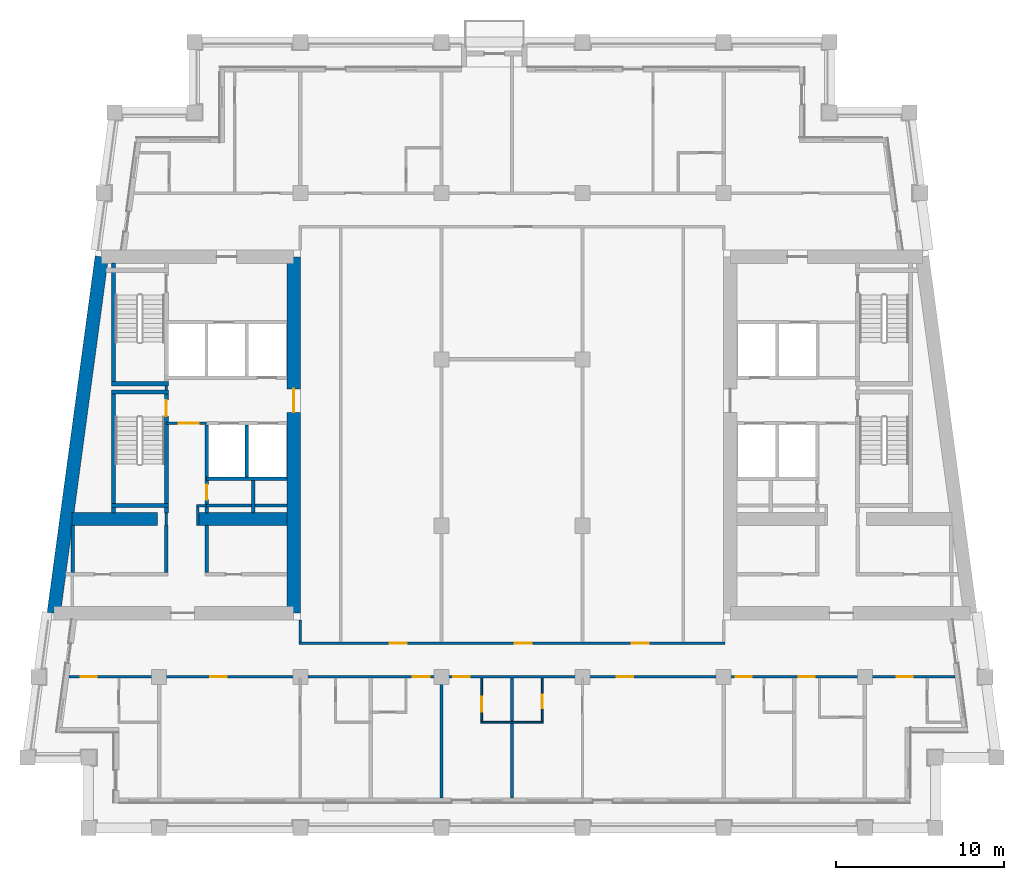
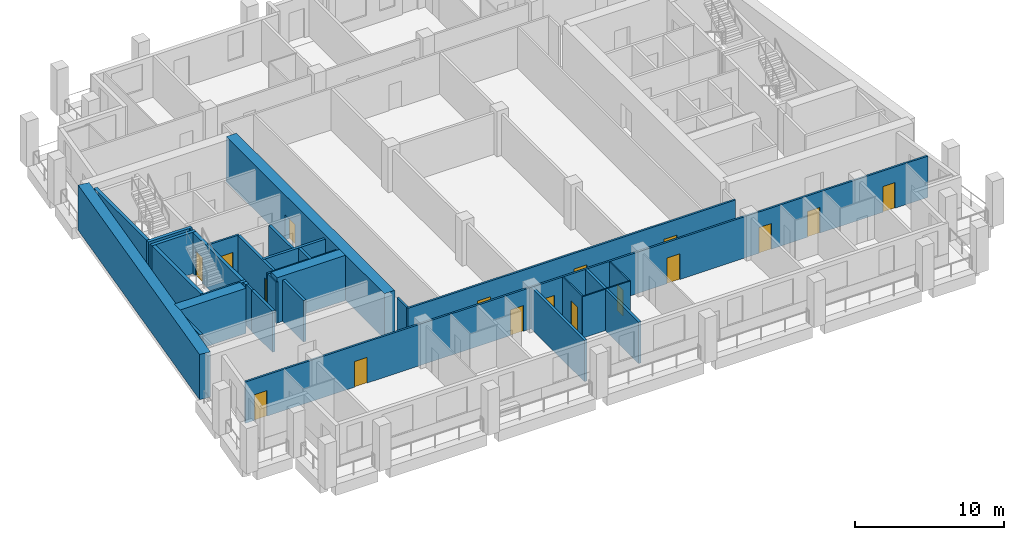
# One storey, part 3 of 12: 31 walls, 17 doors, 17 openings.
"""IFC4 building model written with IfcOpenShell, lengths in metres."""

from ifc_helpers import new_model, si_unit, direction, frame, frame_2d, origin, place, context, subcontext, project, spatial, rectangle, extrude, material, layer, layer_set, type_object, element, fill, save


model = new_model("IFC4")

# Units and contexts
model_context = context("Model", 3, precision=1e-05, world=origin(), true_north=direction((0.0, 1.0)))
body_context = subcontext(model_context, "Body", "Model", "MODEL_VIEW")
ifc_project = project(units=[si_unit("LENGTHUNIT", "METRE"), si_unit("AREAUNIT", "SQUARE_METRE"), si_unit("VOLUMEUNIT", "CUBIC_METRE"), si_unit("PLANEANGLEUNIT", "RADIAN"), si_unit("MASSUNIT", "GRAM", prefix="KILO")], contexts=[model_context])

# Site, building, storey
site_placement = place(None, origin())
site = spatial("IfcSite", under=ifc_project, at=site_placement, CompositionType="ELEMENT")
building_placement = place(site_placement, origin())
building = spatial("IfcBuilding", under=site, at=building_placement, Name="Candeia Pilgrim Tower and Theatre", CompositionType="ELEMENT")
storey_placement = place(building_placement, frame((0.0, 0.0, 231.800048828125)))
storey = spatial("IfcBuildingStorey", under=building, at=storey_placement, Name="L56", CompositionType="ELEMENT", Elevation=231.800048828125)

# Wall, opening, door
ifc_material_1 = material(Name="Concrete C50/60", Category="concrete")
ifc_layer_1 = layer(ifc_material_1, 0.800048828125)
ifc_layer_set_1 = layer_set([ifc_layer_1], Name="Core wall 800 C50/60")
wall_type_1 = type_object("IfcWallType", Name="Core wall 800 C50/60", PredefinedType="SHEAR", material=ifc_layer_set_1)
wall_1_placement = place(storey_placement, frame((100.39990234375, 132.0, 0.0), z_axis=(0.0, 0.0, 1.0), x_axis=(0.0, -1.0, 0.0)))
wall_1 = element("IfcWall", 1, at=wall_1_placement, inside=storey, type_object=wall_type_1, Name="Core wall W2", PredefinedType="SHEAR", context=body_context, shape_type="SweptSolid", body=[
    extrude(rectangle(XDim=21.199951171875, YDim=0.800048828125, at=frame_2d((10.60009765625, 0.0))), origin(), (0.0, 0.0, 1.0), 3.699951171875),
])
opening_1_placement = place(wall_1_placement, frame((7.85009765625, 0.0, 0.0)))
opening_1 = element("IfcOpeningElement", 2, at=opening_1_placement, cuts=wall_1, Name="Opening L56-D047", PredefinedType="OPENING", context=body_context, shape_type="SweptSolid", body=[
    extrude(rectangle(XDim=1.39990234375, YDim=2.10009765625, at=frame_2d((0.699951171875, 1.050048828125))), frame((0.0, 0.41015625, 0.0), z_axis=(0.0, -1.0, 0.0), x_axis=(1.0, 0.0, 0.0)), (0.0, 0.0, 1.0), 0.820068359375),
])
ifc_material_2 = material(Name="Steel fire door set", Category="steel")
door_type_1 = type_object("IfcDoorType", Name="D-1400-FD60", OperationType="NOTDEFINED", PredefinedType="DOOR", material=ifc_material_2)
door_1_placement = place(opening_1_placement, origin())
door_1 = element("IfcDoor", 3, at=door_1_placement, inside=storey, type_object=door_type_1, Name="Door L56-D047", OperationType="SINGLE_SWING_LEFT", OverallHeight=2.10009765625, OverallWidth=1.39990234375, PredefinedType="DOOR", context=body_context, shape_type="SweptSolid", body=[
    extrude(rectangle(XDim=1.39990234375, YDim=2.10009765625, at=frame_2d((0.699951171875, 1.050048828125))), frame((0.0, 0.02490234375, 0.0), z_axis=(0.0, -1.0, 0.0), x_axis=(1.0, 0.0, 0.0)), (0.0, 0.0, 1.0), 0.050048828125),
])
fill(opening_1, door_1)

# Walls
wall_2_placement = place(storey_placement, frame((86.126708984375, 110.800048828125, 0.0), z_axis=(0.0, 0.0, 1.0), x_axis=(0.133408347329, 0.991061154956, 0.0)))
element("IfcWall", 4, at=wall_2_placement, inside=storey, type_object=wall_type_1, Name="Core wall W4", PredefinedType="SHEAR", context=body_context, shape_type="SweptSolid", body=[
    extrude(rectangle(XDim=21.39111328125, YDim=0.800048828125, at=frame_2d((10.695556640625, 0.0))), origin(), (0.0, 0.0, 1.0), 3.699951171875),
])
wall_3_placement = place(storey_placement, frame((87.22314453125, 116.39990234375, 0.0), z_axis=(0.0, 0.0, 1.0), x_axis=(1.0, 0.0, 0.0)))
element("IfcWall", 5, at=wall_3_placement, inside=storey, type_object=wall_type_1, Name="Core wall W5", PredefinedType="SHEAR", context=body_context, shape_type="SweptSolid", body=[
    extrude(rectangle(XDim=5.076904296875, YDim=0.800048828125, at=frame_2d((2.53857421875, 0.0))), origin(), (0.0, 0.0, 1.0), 3.699951171875),
])
wall_4_placement = place(storey_placement, frame((94.699951171875, 116.39990234375, 0.0), z_axis=(0.0, 0.0, 1.0), x_axis=(1.0, 0.0, 0.0)))
element("IfcWall", 6, at=wall_4_placement, inside=storey, type_object=wall_type_1, Name="Core wall W6", PredefinedType="SHEAR", context=body_context, shape_type="SweptSolid", body=[
    extrude(rectangle(XDim=5.300048828125, YDim=0.800048828125, at=frame_2d((2.64990234375, 0.0))), origin(), (0.0, 0.0, 1.0), 3.699951171875),
])
ifc_material_3 = material(Name="Gypsum board partition on steel studs", Category="steel")
ifc_layer_2 = layer(ifc_material_3, 0.10009765625)
ifc_layer_set_2 = layer_set([ifc_layer_2], Name="PW-100 room partition")
wall_type_2 = type_object("IfcWallType", Name="PW-100 room partition", PredefinedType="PARTITIONING", material=ifc_layer_set_2)
wall_5_placement = place(storey_placement, frame((111.550048828125, 104.300048828125, 0.0), z_axis=(0.0, 0.0, 1.0), x_axis=(1.0, 0.0, 0.0)))
element("IfcWall", 7, at=wall_5_placement, inside=storey, type_object=wall_type_2, Name="Room partition L56-003", PredefinedType="PARTITIONING", context=body_context, shape_type="SweptSolid", body=[
    extrude(rectangle(XDim=3.699951171875, YDim=0.10009765625, at=frame_2d((1.85009765625, 0.0))), origin(), (0.0, 0.0, 1.0), 3.3798828125),
])

# Wall, opening, door
wall_6_placement = place(storey_placement, frame((111.60009765625, 104.35009765625, 0.0), z_axis=(0.0, 0.0, 1.0), x_axis=(0.0, 1.0, 0.0)))
wall_6 = element("IfcWall", 8, at=wall_6_placement, inside=storey, type_object=wall_type_2, Name="Room partition L56-076", PredefinedType="PARTITIONING", context=body_context, shape_type="SweptSolid", body=[
    extrude(rectangle(XDim=2.574951171875, YDim=0.10009765625, at=frame_2d((1.28759765625, 0.0))), origin(), (0.0, 0.0, 1.0), 3.3798828125),
])
opening_2_placement = place(wall_6_placement, frame((0.574951171875, 0.0, 0.0)))
opening_2 = element("IfcOpeningElement", 9, at=opening_2_placement, cuts=wall_6, Name="Opening L56-D021", PredefinedType="OPENING", context=body_context, shape_type="SweptSolid", body=[
    extrude(rectangle(XDim=0.89990234375, YDim=2.10009765625, at=frame_2d((0.449951171875, 1.050048828125))), frame((0.0, 0.06005859375, 0.0), z_axis=(0.0, -1.0, 0.0), x_axis=(1.0, 0.0, 0.0)), (0.0, 0.0, 1.0), 0.1201171875),
])
ifc_material_4 = material(Name="Timber door leaf", Category="wood")
door_type_2 = type_object("IfcDoorType", Name="D-900", OperationType="NOTDEFINED", PredefinedType="DOOR", material=ifc_material_4)
door_2_placement = place(opening_2_placement, origin())
door_2 = element("IfcDoor", 10, at=door_2_placement, inside=storey, type_object=door_type_2, Name="Door L56-D021", OperationType="SINGLE_SWING_LEFT", OverallHeight=2.10009765625, OverallWidth=0.89990234375, PredefinedType="DOOR", context=body_context, shape_type="SweptSolid", body=[
    extrude(rectangle(XDim=0.89990234375, YDim=2.10009765625, at=frame_2d((0.449951171875, 1.050048828125))), frame((0.0, 0.02490234375, 0.0), z_axis=(0.0, -1.0, 0.0), x_axis=(1.0, 0.0, 0.0)), (0.0, 0.0, 1.0), 0.050048828125),
])
fill(opening_2, door_2)

wall_7_placement = place(storey_placement, frame((115.199951171875, 104.35009765625, 0.0), z_axis=(0.0, 0.0, 1.0), x_axis=(0.0, 1.0, 0.0)))
wall_7 = element("IfcWall", 11, at=wall_7_placement, inside=storey, type_object=wall_type_2, Name="Room partition L56-079", PredefinedType="PARTITIONING", context=body_context, shape_type="SweptSolid", body=[
    extrude(rectangle(XDim=2.574951171875, YDim=0.10009765625, at=frame_2d((1.28759765625, 0.0))), origin(), (0.0, 0.0, 1.0), 3.3798828125),
])
opening_3_placement = place(wall_7_placement, frame((0.780029296875, 0.0, 0.0)))
opening_3 = element("IfcOpeningElement", 12, at=opening_3_placement, cuts=wall_7, Name="Opening L56-D024", PredefinedType="OPENING", context=body_context, shape_type="SweptSolid", body=[
    extrude(rectangle(XDim=0.800048828125, YDim=2.10009765625, at=frame_2d((0.39990234375, 1.050048828125))), frame((0.0, 0.06005859375, 0.0), z_axis=(0.0, -1.0, 0.0), x_axis=(1.0, 0.0, 0.0)), (0.0, 0.0, 1.0), 0.1201171875),
])
door_type_3 = type_object("IfcDoorType", Name="D-800", OperationType="NOTDEFINED", PredefinedType="DOOR", material=ifc_material_4)
door_3_placement = place(opening_3_placement, origin())
door_3 = element("IfcDoor", 13, at=door_3_placement, inside=storey, type_object=door_type_3, Name="Door L56-D024", OperationType="SINGLE_SWING_RIGHT", OverallHeight=2.10009765625, OverallWidth=0.800048828125, PredefinedType="DOOR", context=body_context, shape_type="SweptSolid", body=[
    extrude(rectangle(XDim=0.800048828125, YDim=2.10009765625, at=frame_2d((0.39990234375, 1.050048828125))), frame((0.0, 0.02490234375, 0.0), z_axis=(0.0, -1.0, 0.0), x_axis=(1.0, 0.0, 0.0)), (0.0, 0.0, 1.0), 0.050048828125),
])
fill(opening_3, door_3)

# Wall
ifc_layer_3 = layer(ifc_material_3, 0.14990234375)
ifc_layer_set_3 = layer_set([ifc_layer_3], Name="PW-150 lobby wall")
wall_type_3 = type_object("IfcWallType", Name="PW-150 lobby wall", PredefinedType="PARTITIONING", material=ifc_layer_set_3)
wall_8_placement = place(storey_placement, frame((94.625, 117.199951171875, 0.0), z_axis=(0.0, 0.0, 1.0), x_axis=(1.0, 0.0, 0.0)))
element("IfcWall", 14, at=wall_8_placement, inside=storey, type_object=wall_type_3, Name="Lobby wall L56-016", PredefinedType="PARTITIONING", context=body_context, shape_type="SweptSolid", body=[
    extrude(rectangle(XDim=0.60205078125, YDim=0.14990234375, at=frame_2d((0.301025390625, 0.0))), origin(), (0.0, 0.0, 1.0), 3.3798828125),
])

# Wall, opening, door
wall_9_placement = place(storey_placement, frame((92.826904296875, 122.10009765625, 0.0), z_axis=(0.0, 0.0, 1.0), x_axis=(1.0, 0.0, 0.0)))
wall_9 = element("IfcWall", 15, at=wall_9_placement, inside=storey, type_object=wall_type_3, Name="Lobby wall L56-024", PredefinedType="PARTITIONING", context=body_context, shape_type="SweptSolid", body=[
    extrude(rectangle(XDim=2.400146484375, YDim=0.14990234375, at=frame_2d((1.2001953125, 0.0))), origin(), (0.0, 0.0, 1.0), 3.3798828125),
])
opening_4_placement = place(wall_9_placement, frame((0.72509765625, 0.0, 0.0)))
opening_4 = element("IfcOpeningElement", 16, at=opening_4_placement, cuts=wall_9, Name="Opening L56-D001", PredefinedType="OPENING", context=body_context, shape_type="SweptSolid", body=[
    extrude(rectangle(XDim=1.199951171875, YDim=2.10009765625, at=frame_2d((0.60009765625, 1.050048828125))), frame((0.0, 0.0849609375, 0.0), z_axis=(0.0, -1.0, 0.0), x_axis=(1.0, 0.0, 0.0)), (0.0, 0.0, 1.0), 0.169921875),
])
door_type_4 = type_object("IfcDoorType", Name="D-1200-FD60", OperationType="NOTDEFINED", PredefinedType="DOOR", material=ifc_material_2)
door_4_placement = place(opening_4_placement, origin())
door_4 = element("IfcDoor", 17, at=door_4_placement, inside=storey, type_object=door_type_4, Name="Door L56-D001", OperationType="SINGLE_SWING_LEFT", OverallHeight=2.10009765625, OverallWidth=1.199951171875, PredefinedType="DOOR", context=body_context, shape_type="SweptSolid", body=[
    extrude(rectangle(XDim=1.199951171875, YDim=2.10009765625, at=frame_2d((0.60009765625, 1.050048828125))), frame((0.0, 0.02490234375, 0.0), z_axis=(0.0, -1.0, 0.0), x_axis=(1.0, 0.0, 0.0)), (0.0, 0.0, 1.0), 0.050048828125),
])
fill(opening_4, door_4)

# Walls
wall_10_placement = place(storey_placement, frame((92.826904296875, 116.0, 0.0), z_axis=(0.0, 0.0, 1.0), x_axis=(0.0, 1.0, 0.0)))
element("IfcWall", 18, at=wall_10_placement, inside=storey, type_object=wall_type_3, Name="Lobby wall L56-051", PredefinedType="PARTITIONING", context=body_context, shape_type="SweptSolid", body=[
    extrude(rectangle(XDim=0.77001953125, YDim=0.14990234375, at=frame_2d((0.385009765625, 0.0))), origin(), (0.0, 0.0, 1.0), 3.3798828125),
])
wall_11_placement = place(storey_placement, frame((92.826904296875, 124.074951171875, 0.0), z_axis=(0.0, 0.0, 1.0), x_axis=(0.0, 1.0, 0.0)))
element("IfcWall", 19, at=wall_11_placement, inside=storey, type_object=wall_type_3, Name="Lobby wall L56-052", PredefinedType="PARTITIONING", context=body_context, shape_type="SweptSolid", body=[
    extrude(rectangle(XDim=0.25, YDim=0.14990234375, at=frame_2d((0.125, 0.0))), origin(), (0.0, 0.0, 1.0), 3.3798828125),
])
wall_12_placement = place(storey_placement, frame((94.699951171875, 116.0, 0.0), z_axis=(0.0, 0.0, 1.0), x_axis=(0.0, 1.0, 0.0)))
element("IfcWall", 20, at=wall_12_placement, inside=storey, type_object=wall_type_3, Name="Lobby wall L56-056", PredefinedType="PARTITIONING", context=body_context, shape_type="SweptSolid", body=[
    extrude(rectangle(XDim=1.125, YDim=0.14990234375, at=frame_2d((0.5625, 0.0))), origin(), (0.0, 0.0, 1.0), 3.3798828125),
])

# Wall, openings, doors
ifc_layer_4 = layer(ifc_material_3, 0.14990234375)
ifc_layer_set_4 = layer_set([ifc_layer_4], Name="PW-150 unit wall")
wall_type_4 = type_object("IfcWallType", Name="PW-150 unit wall", PredefinedType="PARTITIONING", material=ifc_layer_set_4)
wall_13_placement = place(storey_placement, frame((87.017578125, 107.0, 0.0), z_axis=(0.0, 0.0, 1.0), x_axis=(1.0, 0.0, 0.0)))
wall_13 = element("IfcWall", 21, at=wall_13_placement, inside=storey, type_object=wall_type_4, Name="Unit wall L56-008", PredefinedType="PARTITIONING", context=body_context, shape_type="SweptSolid", body=[
    extrude(rectangle(XDim=52.7646484375, YDim=0.14990234375, at=frame_2d((26.38232421875, 0.0))), origin(), (0.0, 0.0, 1.0), 3.3798828125),
])
opening_5_placement = place(wall_13_placement, frame((0.707275390625, 0.0, 0.0)))
opening_5 = element("IfcOpeningElement", 22, at=opening_5_placement, cuts=wall_13, Name="Opening L56-D013", PredefinedType="OPENING", context=body_context, shape_type="SweptSolid", body=[
    extrude(rectangle(XDim=0.949951171875, YDim=2.10009765625, at=frame_2d((0.47509765625, 1.050048828125))), frame((0.0, 0.0849609375, 0.0), z_axis=(0.0, -1.0, 0.0), x_axis=(1.0, 0.0, 0.0)), (0.0, 0.0, 1.0), 0.169921875),
])
opening_6_placement = place(wall_13_placement, frame((8.412353515625, 0.0, 0.0)))
opening_6 = element("IfcOpeningElement", 23, at=opening_6_placement, cuts=wall_13, Name="Opening L56-D015", PredefinedType="OPENING", context=body_context, shape_type="SweptSolid", body=[
    extrude(rectangle(XDim=1.0, YDim=2.10009765625, at=frame_2d((0.5, 1.050048828125))), frame((0.0, 0.0849609375, 0.0), z_axis=(0.0, -1.0, 0.0), x_axis=(1.0, 0.0, 0.0)), (0.0, 0.0, 1.0), 0.169921875),
])
opening_7_placement = place(wall_13_placement, frame((20.482421875, 0.0, 0.0)))
opening_7 = element("IfcOpeningElement", 24, at=opening_7_placement, cuts=wall_13, Name="Opening L56-D018", PredefinedType="OPENING", context=body_context, shape_type="SweptSolid", body=[
    extrude(rectangle(XDim=1.0, YDim=2.10009765625, at=frame_2d((0.5, 1.050048828125))), frame((0.0, 0.0849609375, 0.0), z_axis=(0.0, -1.0, 0.0), x_axis=(1.0, 0.0, 0.0)), (0.0, 0.0, 1.0), 0.169921875),
])
opening_8_placement = place(wall_13_placement, frame((22.88232421875, 0.0, 0.0)))
opening_8 = element("IfcOpeningElement", 25, at=opening_8_placement, cuts=wall_13, Name="Opening L56-D020", PredefinedType="OPENING", context=body_context, shape_type="SweptSolid", body=[
    extrude(rectangle(XDim=1.0, YDim=2.10009765625, at=frame_2d((0.5, 1.050048828125))), frame((0.0, 0.0849609375, 0.0), z_axis=(0.0, -1.0, 0.0), x_axis=(1.0, 0.0, 0.0)), (0.0, 0.0, 1.0), 0.169921875),
])
opening_9_placement = place(wall_13_placement, frame((32.607421875, 0.0, 0.0)))
opening_9 = element("IfcOpeningElement", 26, at=opening_9_placement, cuts=wall_13, Name="Opening L56-D022", PredefinedType="OPENING", context=body_context, shape_type="SweptSolid", body=[
    extrude(rectangle(XDim=1.0, YDim=2.10009765625, at=frame_2d((0.5, 1.050048828125))), frame((0.0, 0.0849609375, 0.0), z_axis=(0.0, -1.0, 0.0), x_axis=(1.0, 0.0, 0.0)), (0.0, 0.0, 1.0), 0.169921875),
])
opening_10_placement = place(wall_13_placement, frame((39.707275390625, 0.0, 0.0)))
opening_10 = element("IfcOpeningElement", 27, at=opening_10_placement, cuts=wall_13, Name="Opening L56-D025", PredefinedType="OPENING", context=body_context, shape_type="SweptSolid", body=[
    extrude(rectangle(XDim=0.949951171875, YDim=2.10009765625, at=frame_2d((0.47509765625, 1.050048828125))), frame((0.0, 0.0849609375, 0.0), z_axis=(0.0, -1.0, 0.0), x_axis=(1.0, 0.0, 0.0)), (0.0, 0.0, 1.0), 0.169921875),
])
opening_11_placement = place(wall_13_placement, frame((43.457275390625, 0.0, 0.0)))
opening_11 = element("IfcOpeningElement", 28, at=opening_11_placement, cuts=wall_13, Name="Opening L56-D027", PredefinedType="OPENING", context=body_context, shape_type="SweptSolid", body=[
    extrude(rectangle(XDim=0.949951171875, YDim=2.10009765625, at=frame_2d((0.47509765625, 1.050048828125))), frame((0.0, 0.0849609375, 0.0), z_axis=(0.0, -1.0, 0.0), x_axis=(1.0, 0.0, 0.0)), (0.0, 0.0, 1.0), 0.169921875),
])
opening_12_placement = place(wall_13_placement, frame((49.285400390625, 0.0, 0.0)))
opening_12 = element("IfcOpeningElement", 29, at=opening_12_placement, cuts=wall_13, Name="Opening L56-D029", PredefinedType="OPENING", context=body_context, shape_type="SweptSolid", body=[
    extrude(rectangle(XDim=0.949951171875, YDim=2.10009765625, at=frame_2d((0.47509765625, 1.050048828125))), frame((0.0, 0.0849609375, 0.0), z_axis=(0.0, -1.0, 0.0), x_axis=(1.0, 0.0, 0.0)), (0.0, 0.0, 1.0), 0.169921875),
])
door_type_5 = type_object("IfcDoorType", Name="D-1000-FD30S", OperationType="NOTDEFINED", PredefinedType="DOOR", material=ifc_material_2)
door_5_placement = place(opening_6_placement, origin())
door_5 = element("IfcDoor", 30, at=door_5_placement, inside=storey, type_object=door_type_5, Name="Door L56-D015", OperationType="SINGLE_SWING_LEFT", OverallHeight=2.10009765625, OverallWidth=1.0, PredefinedType="DOOR", context=body_context, shape_type="SweptSolid", body=[
    extrude(rectangle(XDim=1.0, YDim=2.10009765625, at=frame_2d((0.5, 1.050048828125))), frame((0.0, 0.02490234375, 0.0), z_axis=(0.0, -1.0, 0.0), x_axis=(1.0, 0.0, 0.0)), (0.0, 0.0, 1.0), 0.050048828125),
])
fill(opening_6, door_5)
door_6_placement = place(opening_7_placement, origin())
door_6 = element("IfcDoor", 31, at=door_6_placement, inside=storey, type_object=door_type_5, Name="Door L56-D018", OperationType="SINGLE_SWING_RIGHT", OverallHeight=2.10009765625, OverallWidth=1.0, PredefinedType="DOOR", context=body_context, shape_type="SweptSolid", body=[
    extrude(rectangle(XDim=1.0, YDim=2.10009765625, at=frame_2d((0.5, 1.050048828125))), frame((0.0, 0.02490234375, 0.0), z_axis=(0.0, -1.0, 0.0), x_axis=(1.0, 0.0, 0.0)), (0.0, 0.0, 1.0), 0.050048828125),
])
fill(opening_7, door_6)
door_7_placement = place(opening_8_placement, origin())
door_7 = element("IfcDoor", 32, at=door_7_placement, inside=storey, type_object=door_type_5, Name="Door L56-D020", OperationType="SINGLE_SWING_RIGHT", OverallHeight=2.10009765625, OverallWidth=1.0, PredefinedType="DOOR", context=body_context, shape_type="SweptSolid", body=[
    extrude(rectangle(XDim=1.0, YDim=2.10009765625, at=frame_2d((0.5, 1.050048828125))), frame((0.0, 0.02490234375, 0.0), z_axis=(0.0, -1.0, 0.0), x_axis=(1.0, 0.0, 0.0)), (0.0, 0.0, 1.0), 0.050048828125),
])
fill(opening_8, door_7)
door_8_placement = place(opening_9_placement, origin())
door_8 = element("IfcDoor", 33, at=door_8_placement, inside=storey, type_object=door_type_5, Name="Door L56-D022", OperationType="SINGLE_SWING_RIGHT", OverallHeight=2.10009765625, OverallWidth=1.0, PredefinedType="DOOR", context=body_context, shape_type="SweptSolid", body=[
    extrude(rectangle(XDim=1.0, YDim=2.10009765625, at=frame_2d((0.5, 1.050048828125))), frame((0.0, 0.02490234375, 0.0), z_axis=(0.0, -1.0, 0.0), x_axis=(1.0, 0.0, 0.0)), (0.0, 0.0, 1.0), 0.050048828125),
])
fill(opening_9, door_8)
door_type_6 = type_object("IfcDoorType", Name="D-950-FD30S", OperationType="NOTDEFINED", PredefinedType="DOOR", material=ifc_material_2)
door_9_placement = place(opening_5_placement, origin())
door_9 = element("IfcDoor", 34, at=door_9_placement, inside=storey, type_object=door_type_6, Name="Door L56-D013", OperationType="SINGLE_SWING_LEFT", OverallHeight=2.10009765625, OverallWidth=0.949951171875, PredefinedType="DOOR", context=body_context, shape_type="SweptSolid", body=[
    extrude(rectangle(XDim=0.949951171875, YDim=2.10009765625, at=frame_2d((0.47509765625, 1.050048828125))), frame((0.0, 0.02490234375, 0.0), z_axis=(0.0, -1.0, 0.0), x_axis=(1.0, 0.0, 0.0)), (0.0, 0.0, 1.0), 0.050048828125),
])
fill(opening_5, door_9)
door_10_placement = place(opening_10_placement, origin())
door_10 = element("IfcDoor", 35, at=door_10_placement, inside=storey, type_object=door_type_6, Name="Door L56-D025", OperationType="SINGLE_SWING_LEFT", OverallHeight=2.10009765625, OverallWidth=0.949951171875, PredefinedType="DOOR", context=body_context, shape_type="SweptSolid", body=[
    extrude(rectangle(XDim=0.949951171875, YDim=2.10009765625, at=frame_2d((0.47509765625, 1.050048828125))), frame((0.0, 0.02490234375, 0.0), z_axis=(0.0, -1.0, 0.0), x_axis=(1.0, 0.0, 0.0)), (0.0, 0.0, 1.0), 0.050048828125),
])
fill(opening_10, door_10)
door_11_placement = place(opening_11_placement, origin())
door_11 = element("IfcDoor", 36, at=door_11_placement, inside=storey, type_object=door_type_6, Name="Door L56-D027", OperationType="SINGLE_SWING_LEFT", OverallHeight=2.10009765625, OverallWidth=0.949951171875, PredefinedType="DOOR", context=body_context, shape_type="SweptSolid", body=[
    extrude(rectangle(XDim=0.949951171875, YDim=2.10009765625, at=frame_2d((0.47509765625, 1.050048828125))), frame((0.0, 0.02490234375, 0.0), z_axis=(0.0, -1.0, 0.0), x_axis=(1.0, 0.0, 0.0)), (0.0, 0.0, 1.0), 0.050048828125),
])
fill(opening_11, door_11)
door_12_placement = place(opening_12_placement, origin())
door_12 = element("IfcDoor", 37, at=door_12_placement, inside=storey, type_object=door_type_6, Name="Door L56-D029", OperationType="SINGLE_SWING_LEFT", OverallHeight=2.10009765625, OverallWidth=0.949951171875, PredefinedType="DOOR", context=body_context, shape_type="SweptSolid", body=[
    extrude(rectangle(XDim=0.949951171875, YDim=2.10009765625, at=frame_2d((0.47509765625, 1.050048828125))), frame((0.0, 0.02490234375, 0.0), z_axis=(0.0, -1.0, 0.0), x_axis=(1.0, 0.0, 0.0)), (0.0, 0.0, 1.0), 0.050048828125),
])
fill(opening_12, door_12)

wall_14_placement = place(storey_placement, frame((100.72509765625, 109.0, 0.0), z_axis=(0.0, 0.0, 1.0), x_axis=(1.0, 0.0, 0.0)))
wall_14 = element("IfcWall", 38, at=wall_14_placement, inside=storey, type_object=wall_type_4, Name="Unit wall L56-009", PredefinedType="PARTITIONING", context=body_context, shape_type="SweptSolid", body=[
    extrude(rectangle(XDim=25.349853515625, YDim=0.14990234375, at=frame_2d((12.6748046875, 0.0))), origin(), (0.0, 0.0, 1.0), 3.3798828125),
])
opening_13_placement = place(wall_14_placement, frame((5.405029296875, 0.0, 0.0)))
opening_13 = element("IfcOpeningElement", 39, at=opening_13_placement, cuts=wall_14, Name="Opening L56-D041", PredefinedType="OPENING", context=body_context, shape_type="SweptSolid", body=[
    extrude(rectangle(XDim=1.0, YDim=2.10009765625, at=frame_2d((0.5, 1.050048828125))), frame((0.0, 0.0849609375, 0.0), z_axis=(0.0, -1.0, 0.0), x_axis=(1.0, 0.0, 0.0)), (0.0, 0.0, 1.0), 0.169921875),
])
opening_14_placement = place(wall_14_placement, frame((12.844970703125, 0.0, 0.0)))
opening_14 = element("IfcOpeningElement", 40, at=opening_14_placement, cuts=wall_14, Name="Opening L56-D042", PredefinedType="OPENING", context=body_context, shape_type="SweptSolid", body=[
    extrude(rectangle(XDim=1.0, YDim=2.10009765625, at=frame_2d((0.5, 1.050048828125))), frame((0.0, 0.0849609375, 0.0), z_axis=(0.0, -1.0, 0.0), x_axis=(1.0, 0.0, 0.0)), (0.0, 0.0, 1.0), 0.169921875),
])
opening_15_placement = place(wall_14_placement, frame((19.804931640625, 0.0, 0.0)))
opening_15 = element("IfcOpeningElement", 41, at=opening_15_placement, cuts=wall_14, Name="Opening L56-D044", PredefinedType="OPENING", context=body_context, shape_type="SweptSolid", body=[
    extrude(rectangle(XDim=1.0, YDim=2.10009765625, at=frame_2d((0.5, 1.050048828125))), frame((0.0, 0.0849609375, 0.0), z_axis=(0.0, -1.0, 0.0), x_axis=(1.0, 0.0, 0.0)), (0.0, 0.0, 1.0), 0.169921875),
])
door_13_placement = place(opening_13_placement, origin())
door_13 = element("IfcDoor", 42, at=door_13_placement, inside=storey, type_object=door_type_5, Name="Door L56-D041", OperationType="SINGLE_SWING_LEFT", OverallHeight=2.10009765625, OverallWidth=1.0, PredefinedType="DOOR", context=body_context, shape_type="SweptSolid", body=[
    extrude(rectangle(XDim=1.0, YDim=2.10009765625, at=frame_2d((0.5, 1.050048828125))), frame((0.0, 0.02490234375, 0.0), z_axis=(0.0, -1.0, 0.0), x_axis=(1.0, 0.0, 0.0)), (0.0, 0.0, 1.0), 0.050048828125),
])
fill(opening_13, door_13)
door_14_placement = place(opening_14_placement, origin())
door_14 = element("IfcDoor", 43, at=door_14_placement, inside=storey, type_object=door_type_5, Name="Door L56-D042", OperationType="SINGLE_SWING_RIGHT", OverallHeight=2.10009765625, OverallWidth=1.0, PredefinedType="DOOR", context=body_context, shape_type="SweptSolid", body=[
    extrude(rectangle(XDim=1.0, YDim=2.10009765625, at=frame_2d((0.5, 1.050048828125))), frame((0.0, 0.02490234375, 0.0), z_axis=(0.0, -1.0, 0.0), x_axis=(1.0, 0.0, 0.0)), (0.0, 0.0, 1.0), 0.050048828125),
])
fill(opening_14, door_14)
door_15_placement = place(opening_15_placement, origin())
door_15 = element("IfcDoor", 44, at=door_15_placement, inside=storey, type_object=door_type_5, Name="Door L56-D044", OperationType="SINGLE_SWING_RIGHT", OverallHeight=2.10009765625, OverallWidth=1.0, PredefinedType="DOOR", context=body_context, shape_type="SweptSolid", body=[
    extrude(rectangle(XDim=1.0, YDim=2.10009765625, at=frame_2d((0.5, 1.050048828125))), frame((0.0, 0.02490234375, 0.0), z_axis=(0.0, -1.0, 0.0), x_axis=(1.0, 0.0, 0.0)), (0.0, 0.0, 1.0), 0.050048828125),
])
fill(opening_15, door_15)

# Walls
wall_15_placement = place(storey_placement, frame((100.800048828125, 109.074951171875, 0.0), z_axis=(0.0, 0.0, 1.0), x_axis=(0.0, 1.0, 0.0)))
element("IfcWall", 45, at=wall_15_placement, inside=storey, type_object=wall_type_4, Name="Unit wall L56-066", PredefinedType="PARTITIONING", context=body_context, shape_type="SweptSolid", body=[
    extrude(rectangle(XDim=1.324951171875, YDim=0.14990234375, at=frame_2d((0.66259765625, 0.0))), origin(), (0.0, 0.0, 1.0), 3.3798828125),
])
ifc_layer_5 = layer(ifc_material_3, 0.199951171875)
ifc_layer_set_5 = layer_set([ifc_layer_5], Name="PW-200 party wall")
wall_type_5 = type_object("IfcWallType", Name="PW-200 party wall", PredefinedType="PARTITIONING", material=ifc_layer_set_5)
for number, where, z_axis, x_axis, name in (
    (46, (109.199951171875, 99.7900390625, 0.0), (0.0, 0.0, 1.0), (0.0, 1.0, 0.0), "Party wall L56-073"),
    (47, (113.39990234375, 99.7900390625, 0.0), (0.0, 0.0, 1.0), (0.0, 1.0, 0.0), "Party wall L56-077"),
):
    element("IfcWall", number, at=place(storey_placement, frame(where, z_axis=z_axis, x_axis=x_axis)), inside=storey, type_object=wall_type_5, Name=name, PredefinedType="PARTITIONING", context=body_context, shape_type="SweptSolid", body=[
        extrude(rectangle(XDim=7.135009765625, YDim=0.199951171875, at=frame_2d((3.5673828125, 0.0))), origin(), (0.0, 0.0, 1.0), 3.3798828125),
    ])
ifc_material_5 = material(Name="Concrete C40/50", Category="concrete")
ifc_layer_6 = layer(ifc_material_5, 0.199951171875)
ifc_layer_set_6 = layer_set([ifc_layer_6], Name="SW-200 shaft wall")
wall_type_6 = type_object("IfcWallType", Name="SW-200 shaft wall", PredefinedType="PARTITIONING", material=ifc_layer_set_6)
for number, where, z_axis, x_axis, name in (
    (48, (95.22705078125, 117.199951171875, 0.0), (0.0, 0.0, 1.0), (1.0, 0.0, 0.0), "Shaft wall L56-014"),
    (49, (95.22705078125, 118.800048828125, 0.0), (0.0, 0.0, 1.0), (1.0, 0.0, 0.0), "Shaft wall L56-020"),
):
    element("IfcWall", number, at=place(storey_placement, frame(where, z_axis=z_axis, x_axis=x_axis)), inside=storey, type_object=wall_type_6, Name=name, PredefinedType="PARTITIONING", context=body_context, shape_type="SweptSolid", body=[
        extrude(rectangle(XDim=4.77294921875, YDim=0.199951171875, at=frame_2d((2.386474609375, 0.0))), origin(), (0.0, 0.0, 1.0), 3.3798828125),
    ])
for number, where, z_axis, x_axis, name in (
    (50, (87.24951171875, 113.199951171875, 0.0), (0.0, 0.0, 1.0), (0.0, 1.0, 0.0), "Shaft wall L56-044"),
    (51, (92.826904296875, 113.199951171875, 0.0), (0.0, 0.0, 1.0), (0.0, 1.0, 0.0), "Shaft wall L56-050"),
    (52, (95.22705078125, 113.199951171875, 0.0), (0.0, 0.0, 1.0), (0.0, 1.0, 0.0), "Shaft wall L56-058"),
):
    element("IfcWall", number, at=place(storey_placement, frame(where, z_axis=z_axis, x_axis=x_axis)), inside=storey, type_object=wall_type_6, Name=name, PredefinedType="PARTITIONING", context=body_context, shape_type="SweptSolid", body=[
        extrude(rectangle(XDim=2.800048828125, YDim=0.199951171875, at=frame_2d((1.39990234375, 0.0))), origin(), (0.0, 0.0, 1.0), 3.3798828125),
    ])

# Wall, opening, door
wall_16_placement = place(storey_placement, frame((95.22705078125, 116.77001953125, 0.0), z_axis=(0.0, 0.0, 1.0), x_axis=(0.0, 1.0, 0.0)))
wall_16 = element("IfcWall", 53, at=wall_16_placement, inside=storey, type_object=wall_type_6, Name="Shaft wall L56-059", PredefinedType="PARTITIONING", context=body_context, shape_type="SweptSolid", body=[
    extrude(rectangle(XDim=5.22998046875, YDim=0.199951171875, at=frame_2d((2.614990234375, 0.0))), origin(), (0.0, 0.0, 1.0), 3.3798828125),
])
opening_16_placement = place(wall_16_placement, frame((0.780029296875, 0.0, 0.0)))
opening_16 = element("IfcOpeningElement", 54, at=opening_16_placement, cuts=wall_16, Name="Opening L56-D004", PredefinedType="OPENING", context=body_context, shape_type="SweptSolid", body=[
    extrude(rectangle(XDim=0.89990234375, YDim=2.10009765625, at=frame_2d((0.449951171875, 1.050048828125))), frame((0.0, 0.10986328125, 0.0), z_axis=(0.0, -1.0, 0.0), x_axis=(1.0, 0.0, 0.0)), (0.0, 0.0, 1.0), 0.219970703125),
])
door_type_7 = type_object("IfcDoorType", Name="D-900-FD60", OperationType="NOTDEFINED", PredefinedType="DOOR", material=ifc_material_2)
door_16_placement = place(opening_16_placement, origin())
door_16 = element("IfcDoor", 55, at=door_16_placement, inside=storey, type_object=door_type_7, Name="Door L56-D004", OperationType="SINGLE_SWING_RIGHT", OverallHeight=2.10009765625, OverallWidth=0.89990234375, PredefinedType="DOOR", context=body_context, shape_type="SweptSolid", body=[
    extrude(rectangle(XDim=0.89990234375, YDim=2.10009765625, at=frame_2d((0.449951171875, 1.050048828125))), frame((0.0, 0.02490234375, 0.0), z_axis=(0.0, -1.0, 0.0), x_axis=(1.0, 0.0, 0.0)), (0.0, 0.0, 1.0), 0.050048828125),
])
fill(opening_16, door_16)

# Walls
wall_17_placement = place(storey_placement, frame((97.613525390625, 118.89990234375, 0.0), z_axis=(0.0, 0.0, 1.0), x_axis=(0.0, 1.0, 0.0)))
element("IfcWall", 56, at=wall_17_placement, inside=storey, type_object=wall_type_6, Name="Shaft wall L56-062", PredefinedType="PARTITIONING", context=body_context, shape_type="SweptSolid", body=[
    extrude(rectangle(XDim=3.10009765625, YDim=0.199951171875, at=frame_2d((1.550048828125, 0.0))), origin(), (0.0, 0.0, 1.0), 3.3798828125),
])
wall_18_placement = place(storey_placement, frame((98.0, 116.77001953125, 0.0), z_axis=(0.0, 0.0, 1.0), x_axis=(0.0, 1.0, 0.0)))
element("IfcWall", 57, at=wall_18_placement, inside=storey, type_object=wall_type_6, Name="Shaft wall L56-063", PredefinedType="PARTITIONING", context=body_context, shape_type="SweptSolid", body=[
    extrude(rectangle(XDim=1.929931640625, YDim=0.199951171875, at=frame_2d((0.96484375, 0.0))), origin(), (0.0, 0.0, 1.0), 3.3798828125),
])
ifc_layer_7 = layer(ifc_material_5, 0.25)
ifc_layer_set_7 = layer_set([ifc_layer_7], Name="SW-250 stair wall")
wall_type_7 = type_object("IfcWallType", Name="SW-250 stair wall", PredefinedType="PARTITIONING", material=ifc_layer_set_7)
for number, where, z_axis, x_axis, name in (
    (58, (89.552001953125, 117.199951171875, 0.0), (0.0, 0.0, 1.0), (1.0, 0.0, 0.0), "Stair wall L56-018"),
    (59, (89.552001953125, 123.949951171875, 0.0), (0.0, 0.0, 1.0), (1.0, 0.0, 0.0), "Stair wall L56-026"),
    (60, (89.552001953125, 124.449951171875, 0.0), (0.0, 0.0, 1.0), (1.0, 0.0, 0.0), "Stair wall L56-028"),
):
    element("IfcWall", number, at=place(storey_placement, frame(where, z_axis=z_axis, x_axis=x_axis)), inside=storey, type_object=wall_type_7, Name=name, PredefinedType="PARTITIONING", context=body_context, shape_type="SweptSolid", body=[
        extrude(rectangle(XDim=3.39990234375, YDim=0.25, at=frame_2d((1.699951171875, 0.0))), origin(), (0.0, 0.0, 1.0), 3.3798828125),
    ])
for number, where, z_axis, x_axis, name in (
    (61, (89.677001953125, 116.77001953125, 0.0), (0.0, 0.0, 1.0), (0.0, 1.0, 0.0), "Stair wall L56-046"),
    (62, (89.677001953125, 124.574951171875, 0.0), (0.0, 0.0, 1.0), (0.0, 1.0, 0.0), "Stair wall L56-047"),
):
    element("IfcWall", number, at=place(storey_placement, frame(where, z_axis=z_axis, x_axis=x_axis)), inside=storey, type_object=wall_type_7, Name=name, PredefinedType="PARTITIONING", context=body_context, shape_type="SweptSolid", body=[
        extrude(rectangle(XDim=7.054931640625, YDim=0.25, at=frame_2d((3.52734375, 0.0))), origin(), (0.0, 0.0, 1.0), 3.3798828125),
    ])

# Wall, opening, door
wall_19_placement = place(storey_placement, frame((92.826904296875, 116.77001953125, 0.0), z_axis=(0.0, 0.0, 1.0), x_axis=(0.0, 1.0, 0.0)))
wall_19 = element("IfcWall", 63, at=wall_19_placement, inside=storey, type_object=wall_type_7, Name="Stair wall L56-053", PredefinedType="PARTITIONING", context=body_context, shape_type="SweptSolid", body=[
    extrude(rectangle(XDim=7.054931640625, YDim=0.25, at=frame_2d((3.52734375, 0.0))), origin(), (0.0, 0.0, 1.0), 3.3798828125),
])
opening_17_placement = place(wall_19_placement, frame((5.7548828125, 0.0, 0.0)))
opening_17 = element("IfcOpeningElement", 64, at=opening_17_placement, cuts=wall_19, Name="Opening L56-D002", PredefinedType="OPENING", context=body_context, shape_type="SweptSolid", body=[
    extrude(rectangle(XDim=0.949951171875, YDim=2.10009765625, at=frame_2d((0.47509765625, 1.050048828125))), frame((0.0, 0.135009765625, 0.0), z_axis=(0.0, -1.0, 0.0), x_axis=(1.0, 0.0, 0.0)), (0.0, 0.0, 1.0), 0.27001953125),
])
door_type_8 = type_object("IfcDoorType", Name="D-950-FD60", OperationType="NOTDEFINED", PredefinedType="DOOR", material=ifc_material_2)
door_17_placement = place(opening_17_placement, origin())
door_17 = element("IfcDoor", 65, at=door_17_placement, inside=storey, type_object=door_type_8, Name="Door L56-D002", OperationType="SINGLE_SWING_RIGHT", OverallHeight=2.10009765625, OverallWidth=0.949951171875, PredefinedType="DOOR", context=body_context, shape_type="SweptSolid", body=[
    extrude(rectangle(XDim=0.949951171875, YDim=2.10009765625, at=frame_2d((0.47509765625, 1.050048828125))), frame((0.0, 0.02490234375, 0.0), z_axis=(0.0, -1.0, 0.0), x_axis=(1.0, 0.0, 0.0)), (0.0, 0.0, 1.0), 0.050048828125),
])
fill(opening_17, door_17)

save(model, "model.ifc")
